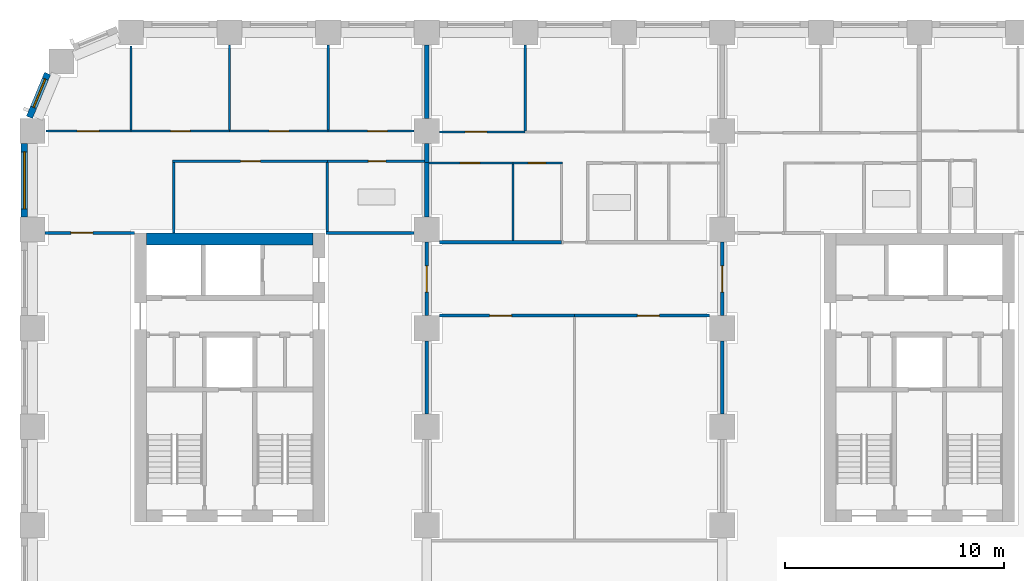
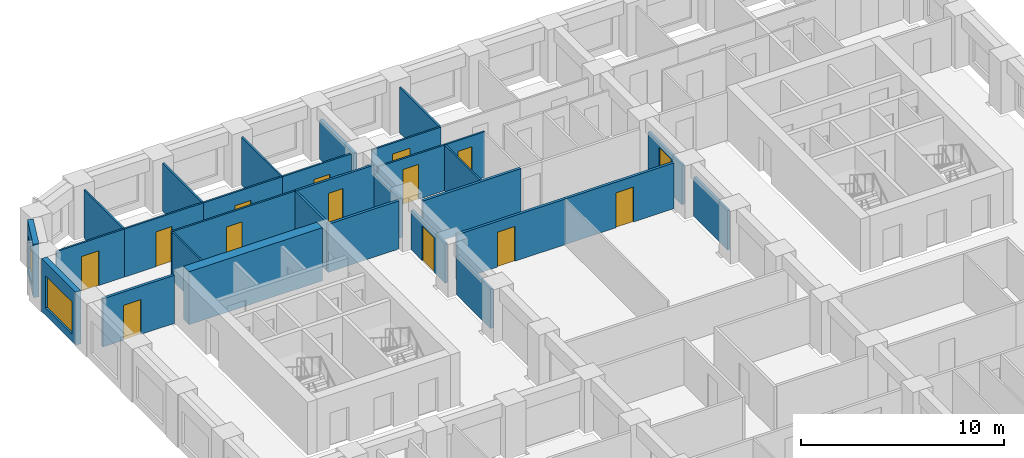
# One storey, part 7 of 13: 31 walls, 14 doors, 2 windows, 16 openings.
"""IFC4 building model written with IfcOpenShell, lengths in metres."""

from ifc_helpers import new_model, si_unit, direction, frame, frame_2d, origin, place, context, subcontext, project, spatial, rectangle, extrude, material, layer, layer_set, type_object, element, fill, save


model = new_model("IFC4")

# Units and contexts
model_context = context("Model", 3, precision=1e-05, world=origin(), true_north=direction((0.0, 1.0)))
body_context = subcontext(model_context, "Body", "Model", "MODEL_VIEW")
ifc_project = project(units=[si_unit("LENGTHUNIT", "METRE"), si_unit("AREAUNIT", "SQUARE_METRE"), si_unit("VOLUMEUNIT", "CUBIC_METRE"), si_unit("PLANEANGLEUNIT", "RADIAN"), si_unit("MASSUNIT", "GRAM", prefix="KILO")], contexts=[model_context])

# Site, building, storey
site_placement = place(None, origin())
site = spatial("IfcSite", under=ifc_project, at=site_placement, CompositionType="ELEMENT")
building_placement = place(site_placement, origin())
building = spatial("IfcBuilding", under=site, at=building_placement, Name="Girih Gate Residences", CompositionType="ELEMENT")
storey_placement = place(building_placement, frame((0.0, 0.0, 80.0)))
storey = spatial("IfcBuildingStorey", under=building, at=storey_placement, Name="L21", CompositionType="ELEMENT", Elevation=80.0)

# Wall
ifc_material_1 = material(Name="Gypsum board on steel studs", Category="steel")
ifc_layer_1 = layer(ifc_material_1, 0.14990234375)
ifc_layer_set_1 = layer_set([ifc_layer_1], Name="Compartment wall 150 mm")
wall_type_1 = type_object("IfcWallType", Name="Compartment wall 150 mm", PredefinedType="PARTITIONING", material=ifc_layer_set_1)
wall_1_placement = place(storey_placement, frame((13.400390625, 40.35009765625, 0.0), z_axis=(0.0, 0.0, 1.0), x_axis=(1.0, 0.0, 0.0)))
element("IfcWall", 1, at=wall_1_placement, inside=storey, type_object=wall_type_1, Name="L21 partition", PredefinedType="PARTITIONING", context=body_context, shape_type="SweptSolid", body=[
    extrude(rectangle(XDim=4.024658203125, YDim=0.14990234375, at=frame_2d((2.01220703125, 0.0))), origin(), (0.0, 0.0, 1.0), 2.89990234375),
])

# Wall, opening, door
wall_2_placement = place(storey_placement, frame((0.574951171875, 40.35009765625, 0.0), z_axis=(0.0, 0.0, 1.0), x_axis=(1.0, 0.0, 0.0)))
wall_2 = element("IfcWall", 2, at=wall_2_placement, inside=storey, type_object=wall_type_1, Name="L21 partition", PredefinedType="PARTITIONING", context=body_context, shape_type="SweptSolid", body=[
    extrude(rectangle(XDim=4.074951171875, YDim=0.14990234375, at=frame_2d((2.03759765625, 0.0))), origin(), (0.0, 0.0, 1.0), 2.89990234375),
])
opening_1_placement = place(wall_2_placement, frame((1.175048828125, 0.0, 0.0)))
opening_1 = element("IfcOpeningElement", 3, at=opening_1_placement, cuts=wall_2, Name="Opening A21-017", PredefinedType="OPENING", context=body_context, shape_type="SweptSolid", body=[
    extrude(rectangle(XDim=1.0, YDim=2.10009765625, at=frame_2d((0.5, 1.050048828125))), frame((0.0, 0.0849609375, 0.0), z_axis=(0.0, -1.0, 0.0), x_axis=(1.0, 0.0, 0.0)), (0.0, 0.0, 1.0), 0.169921875),
])
ifc_material_2 = material(Name="Timber, fire-rated core", Category="wood")
door_type_1 = type_object("IfcDoorType", Name="Flat entrance door 1000x2100 FD30S", OperationType="NOTDEFINED", PredefinedType="DOOR", material=ifc_material_2)
door_1_placement = place(opening_1_placement, origin())
door_1 = element("IfcDoor", 4, at=door_1_placement, inside=storey, type_object=door_type_1, Name="Door A21-017", OperationType="SINGLE_SWING_LEFT", OverallHeight=2.10009765625, OverallWidth=1.0, PredefinedType="DOOR", context=body_context, shape_type="SweptSolid", body=[
    extrude(rectangle(XDim=1.0, YDim=2.10009765625, at=frame_2d((0.5, 1.050048828125))), frame((0.0, 0.02490234375, 0.0), z_axis=(0.0, -1.0, 0.0), x_axis=(1.0, 0.0, 0.0)), (0.0, 0.0, 1.0), 0.050048828125),
])
fill(opening_1, door_1)

# Wall
wall_3_placement = place(storey_placement, frame((18.574951171875, 39.925048828125, 0.0), z_axis=(0.0, 0.0, 1.0), x_axis=(1.0, 0.0, 0.0)))
element("IfcWall", 5, at=wall_3_placement, inside=storey, type_object=wall_type_1, Name="L21 partition", PredefinedType="PARTITIONING", context=body_context, shape_type="SweptSolid", body=[
    extrude(rectangle(XDim=5.574951171875, YDim=0.14990234375, at=frame_2d((2.78759765625, 0.0))), origin(), (0.0, 0.0, 1.0), 2.75),
])

# Wall, opening, door
wall_4_placement = place(storey_placement, frame((24.75, 36.574951171875, 0.0), z_axis=(0.0, 0.0, 1.0), x_axis=(-1.0, 0.0, 0.0)))
wall_4 = element("IfcWall", 6, at=wall_4_placement, inside=storey, type_object=wall_type_1, Name="L21 partition", PredefinedType="PARTITIONING", context=body_context, shape_type="SweptSolid", body=[
    extrude(rectangle(XDim=6.175048828125, YDim=0.14990234375, at=frame_2d((3.08740234375, 0.0))), origin(), (0.0, 0.0, 1.0), 2.75),
])
opening_2_placement = place(wall_4_placement, frame((2.875, 0.0, 0.0)))
opening_2 = element("IfcOpeningElement", 7, at=opening_2_placement, cuts=wall_4, Name="Opening A21-049", PredefinedType="OPENING", context=body_context, shape_type="SweptSolid", body=[
    extrude(rectangle(XDim=1.0, YDim=2.10009765625, at=frame_2d((0.5, 1.050048828125))), frame((0.0, 0.0849609375, 0.0), z_axis=(0.0, -1.0, 0.0), x_axis=(1.0, 0.0, 0.0)), (0.0, 0.0, 1.0), 0.169921875),
])
door_type_2 = type_object("IfcDoorType", Name="Amenity room door 1000x2100 FD30S", OperationType="NOTDEFINED", PredefinedType="DOOR", material=ifc_material_2)
door_2_placement = place(opening_2_placement, origin())
door_2 = element("IfcDoor", 8, at=door_2_placement, inside=storey, type_object=door_type_2, Name="Door A21-049", OperationType="SINGLE_SWING_RIGHT", OverallHeight=2.10009765625, OverallWidth=1.0, PredefinedType="DOOR", context=body_context, shape_type="SweptSolid", body=[
    extrude(rectangle(XDim=1.0, YDim=2.10009765625, at=frame_2d((0.5, 1.050048828125))), frame((0.0, 0.02490234375, 0.0), z_axis=(0.0, -1.0, 0.0), x_axis=(1.0, 0.0, 0.0)), (0.0, 0.0, 1.0), 0.050048828125),
])
fill(opening_2, door_2)

wall_5_placement = place(storey_placement, frame((30.925048828125, 36.574951171875, 0.0), z_axis=(0.0, 0.0, 1.0), x_axis=(-1.0, 0.0, 0.0)))
wall_5 = element("IfcWall", 9, at=wall_5_placement, inside=storey, type_object=wall_type_1, Name="L21 partition", PredefinedType="PARTITIONING", context=body_context, shape_type="SweptSolid", body=[
    extrude(rectangle(XDim=6.175048828125, YDim=0.14990234375, at=frame_2d((3.08740234375, 0.0))), origin(), (0.0, 0.0, 1.0), 2.75),
])
opening_3_placement = place(wall_5_placement, frame((2.300048828125, 0.0, 0.0)))
opening_3 = element("IfcOpeningElement", 10, at=opening_3_placement, cuts=wall_5, Name="Opening A21-050", PredefinedType="OPENING", context=body_context, shape_type="SweptSolid", body=[
    extrude(rectangle(XDim=1.0, YDim=2.10009765625, at=frame_2d((0.5, 1.050048828125))), frame((0.0, 0.0849609375, 0.0), z_axis=(0.0, -1.0, 0.0), x_axis=(1.0, 0.0, 0.0)), (0.0, 0.0, 1.0), 0.169921875),
])
door_3_placement = place(opening_3_placement, origin())
door_3 = element("IfcDoor", 11, at=door_3_placement, inside=storey, type_object=door_type_2, Name="Door A21-050", OperationType="SINGLE_SWING_LEFT", OverallHeight=2.10009765625, OverallWidth=1.0, PredefinedType="DOOR", context=body_context, shape_type="SweptSolid", body=[
    extrude(rectangle(XDim=1.0, YDim=2.10009765625, at=frame_2d((0.5, 1.050048828125))), frame((0.0, 0.02490234375, 0.0), z_axis=(0.0, -1.0, 0.0), x_axis=(1.0, 0.0, 0.0)), (0.0, 0.0, 1.0), 0.050048828125),
])
fill(opening_3, door_3)

wall_6_placement = place(storey_placement, frame((31.5, 36.574951171875, 0.0), z_axis=(0.0, 0.0, 1.0), x_axis=(0.0, 1.0, 0.0)))
wall_6 = element("IfcWall", 12, at=wall_6_placement, inside=storey, type_object=wall_type_1, Name="L21 partition", PredefinedType="PARTITIONING", context=body_context, shape_type="SweptSolid", body=[
    extrude(rectangle(XDim=3.35009765625, YDim=0.14990234375, at=frame_2d((1.675048828125, 0.0))), origin(), (0.0, 0.0, 1.0), 2.3798828125),
])
opening_4_placement = place(wall_6_placement, frame((1.074951171875, 0.0, 0.0)))
opening_4 = element("IfcOpeningElement", 13, at=opening_4_placement, cuts=wall_6, Name="Opening A21-051", PredefinedType="OPENING", context=body_context, shape_type="SweptSolid", body=[
    extrude(rectangle(XDim=1.199951171875, YDim=2.10009765625, at=frame_2d((0.60009765625, 1.050048828125))), frame((0.0, 0.0849609375, 0.0), z_axis=(0.0, -1.0, 0.0), x_axis=(1.0, 0.0, 0.0)), (0.0, 0.0, 1.0), 0.169921875),
])
door_type_3 = type_object("IfcDoorType", Name="Corridor fire door 1200x2100 FD30S", OperationType="NOTDEFINED", PredefinedType="DOOR", material=ifc_material_2)
door_4_placement = place(opening_4_placement, origin())
door_4 = element("IfcDoor", 14, at=door_4_placement, inside=storey, type_object=door_type_3, Name="Door A21-051", OperationType="SINGLE_SWING_LEFT", OverallHeight=2.10009765625, OverallWidth=1.199951171875, PredefinedType="DOOR", context=body_context, shape_type="SweptSolid", body=[
    extrude(rectangle(XDim=1.199951171875, YDim=2.10009765625, at=frame_2d((0.60009765625, 1.050048828125))), frame((0.0, 0.02490234375, 0.0), z_axis=(0.0, -1.0, 0.0), x_axis=(1.0, 0.0, 0.0)), (0.0, 0.0, 1.0), 0.050048828125),
])
fill(opening_4, door_4)

wall_7_placement = place(storey_placement, frame((18.0, 39.925048828125, 0.0), z_axis=(0.0, 0.0, 1.0), x_axis=(0.0, -1.0, 0.0)))
wall_7 = element("IfcWall", 15, at=wall_7_placement, inside=storey, type_object=wall_type_1, Name="L21 partition", PredefinedType="PARTITIONING", context=body_context, shape_type="SweptSolid", body=[
    extrude(rectangle(XDim=3.35009765625, YDim=0.14990234375, at=frame_2d((1.675048828125, 0.0))), origin(), (0.0, 0.0, 1.0), 2.3798828125),
])
opening_5_placement = place(wall_7_placement, frame((1.074951171875, 0.0, 0.0)))
opening_5 = element("IfcOpeningElement", 16, at=opening_5_placement, cuts=wall_7, Name="Opening A21-052", PredefinedType="OPENING", context=body_context, shape_type="SweptSolid", body=[
    extrude(rectangle(XDim=1.199951171875, YDim=2.10009765625, at=frame_2d((0.60009765625, 1.050048828125))), frame((0.0, 0.0849609375, 0.0), z_axis=(0.0, -1.0, 0.0), x_axis=(1.0, 0.0, 0.0)), (0.0, 0.0, 1.0), 0.169921875),
])
door_5_placement = place(opening_5_placement, origin())
door_5 = element("IfcDoor", 17, at=door_5_placement, inside=storey, type_object=door_type_3, Name="Door A21-052", OperationType="SINGLE_SWING_LEFT", OverallHeight=2.10009765625, OverallWidth=1.199951171875, PredefinedType="DOOR", context=body_context, shape_type="SweptSolid", body=[
    extrude(rectangle(XDim=1.199951171875, YDim=2.10009765625, at=frame_2d((0.60009765625, 1.050048828125))), frame((0.0, 0.02490234375, 0.0), z_axis=(0.0, -1.0, 0.0), x_axis=(1.0, 0.0, 0.0)), (0.0, 0.0, 1.0), 0.050048828125),
])
fill(opening_5, door_5)

# Walls
for number, where, z_axis, x_axis, name in (
    (18, (18.0, 32.074951171875, 0.0), (0.0, 0.0, 1.0), (0.0, 1.0, 0.0), "L21 partition"),
    (19, (31.5, 32.074951171875, 0.0), (0.0, 0.0, 1.0), (0.0, 1.0, 0.0), "L21 partition"),
):
    element("IfcWall", number, at=place(storey_placement, frame(where, z_axis=z_axis, x_axis=x_axis)), inside=storey, type_object=wall_type_1, Name=name, PredefinedType="PARTITIONING", context=body_context, shape_type="SweptSolid", body=[
        extrude(rectangle(XDim=3.35009765625, YDim=0.14990234375, at=frame_2d((1.675048828125, 0.0))), origin(), (0.0, 0.0, 1.0), 2.3798828125),
    ])
ifc_material_3 = material(Name="Concrete C60/75", Category="concrete")
ifc_layer_2 = layer(ifc_material_3, 0.550048828125)
ifc_layer_set_2 = layer_set([ifc_layer_2], Name="Core wall RC 550 Concrete C60/75")
wall_type_2 = type_object("IfcWallType", Name="Core wall RC 550 Concrete C60/75", PredefinedType="SOLIDWALL", material=ifc_layer_set_2)
wall_8_placement = place(storey_placement, frame((5.199951171875, 40.074951171875, 0.0), z_axis=(0.0, 0.0, 1.0), x_axis=(1.0, 0.0, 0.0)))
element("IfcWall", 20, at=wall_8_placement, inside=storey, type_object=wall_type_2, Name="Core wall W-N L21", PredefinedType="SOLIDWALL", context=body_context, shape_type="SweptSolid", body=[
    extrude(rectangle(XDim=7.60009765625, YDim=0.550048828125, at=frame_2d((3.800048828125, 0.0))), origin(), (0.0, 0.0, 1.0), 3.199951171875),
])
ifc_layer_3 = layer(ifc_material_1, 0.10009765625)
ifc_layer_set_3 = layer_set([ifc_layer_3], Name="Partition 100 mm")
wall_type_3 = type_object("IfcWallType", Name="Partition 100 mm", PredefinedType="PARTITIONING", material=ifc_layer_set_3)
wall_9_placement = place(storey_placement, frame((9.0, 45.050048828125, 0.0), z_axis=(0.0, 0.0, 1.0), x_axis=(0.0, 1.0, 0.0)))
element("IfcWall", 21, at=wall_9_placement, inside=storey, type_object=wall_type_3, Name="L21 partition", PredefinedType="PARTITIONING", context=body_context, shape_type="SweptSolid", body=[
    extrude(rectangle(XDim=3.875, YDim=0.10009765625, at=frame_2d((1.9375, 0.0))), origin(), (0.0, 0.0, 1.0), 2.89990234375),
])

# Wall, opening, door
wall_10_placement = place(storey_placement, frame((4.5, 45.0, 0.0), z_axis=(0.0, 0.0, 1.0), x_axis=(1.0, 0.0, 0.0)))
wall_10 = element("IfcWall", 22, at=wall_10_placement, inside=storey, type_object=wall_type_3, Name="L21 partition", PredefinedType="PARTITIONING", context=body_context, shape_type="SweptSolid", body=[
    extrude(rectangle(XDim=4.5, YDim=0.10009765625, at=frame_2d((2.25, 0.0))), origin(), (0.0, 0.0, 1.0), 2.89990234375),
])
opening_6_placement = place(wall_10_placement, frame((1.800048828125, 0.0, 0.0)))
opening_6 = element("IfcOpeningElement", 23, at=opening_6_placement, cuts=wall_10, Name="Opening A21-012", PredefinedType="OPENING", context=body_context, shape_type="SweptSolid", body=[
    extrude(rectangle(XDim=0.89990234375, YDim=2.10009765625, at=frame_2d((0.449951171875, 1.050048828125))), frame((0.0, 0.06005859375, 0.0), z_axis=(0.0, -1.0, 0.0), x_axis=(1.0, 0.0, 0.0)), (0.0, 0.0, 1.0), 0.1201171875),
])
ifc_material_4 = material(Name="Timber", Category="wood")
door_type_4 = type_object("IfcDoorType", Name="Bedroom door 900x2100", OperationType="NOTDEFINED", PredefinedType="DOOR", material=ifc_material_4)
door_6_placement = place(opening_6_placement, origin())
door_6 = element("IfcDoor", 24, at=door_6_placement, inside=storey, type_object=door_type_4, Name="Door A21-012", OperationType="SINGLE_SWING_RIGHT", OverallHeight=2.10009765625, OverallWidth=0.89990234375, PredefinedType="DOOR", context=body_context, shape_type="SweptSolid", body=[
    extrude(rectangle(XDim=0.89990234375, YDim=2.10009765625, at=frame_2d((0.449951171875, 1.050048828125))), frame((0.0, 0.02490234375, 0.0), z_axis=(0.0, -1.0, 0.0), x_axis=(1.0, 0.0, 0.0)), (0.0, 0.0, 1.0), 0.050048828125),
])
fill(opening_6, door_6)

# Walls
wall_11_placement = place(storey_placement, frame((4.5, 45.050048828125, 0.0), z_axis=(0.0, 0.0, 1.0), x_axis=(0.0, 1.0, 0.0)))
element("IfcWall", 25, at=wall_11_placement, inside=storey, type_object=wall_type_3, Name="L21 partition", PredefinedType="PARTITIONING", context=body_context, shape_type="SweptSolid", body=[
    extrude(rectangle(XDim=3.82763671875, YDim=0.10009765625, at=frame_2d((1.913818359375, 0.0))), origin(), (0.0, 0.0, 1.0), 2.89990234375),
])
wall_12_placement = place(storey_placement, frame((13.5, 45.050048828125, 0.0), z_axis=(0.0, 0.0, 1.0), x_axis=(0.0, 1.0, 0.0)))
element("IfcWall", 26, at=wall_12_placement, inside=storey, type_object=wall_type_3, Name="L21 partition", PredefinedType="PARTITIONING", context=body_context, shape_type="SweptSolid", body=[
    extrude(rectangle(XDim=3.875, YDim=0.10009765625, at=frame_2d((1.9375, 0.0))), origin(), (0.0, 0.0, 1.0), 2.89990234375),
])

# Wall, opening, door
wall_13_placement = place(storey_placement, frame((9.0, 45.0, 0.0), z_axis=(0.0, 0.0, 1.0), x_axis=(1.0, 0.0, 0.0)))
wall_13 = element("IfcWall", 27, at=wall_13_placement, inside=storey, type_object=wall_type_3, Name="L21 partition", PredefinedType="PARTITIONING", context=body_context, shape_type="SweptSolid", body=[
    extrude(rectangle(XDim=4.5, YDim=0.10009765625, at=frame_2d((2.25, 0.0))), origin(), (0.0, 0.0, 1.0), 2.89990234375),
])
opening_7_placement = place(wall_13_placement, frame((1.800048828125, 0.0, 0.0)))
opening_7 = element("IfcOpeningElement", 28, at=opening_7_placement, cuts=wall_13, Name="Opening A21-013", PredefinedType="OPENING", context=body_context, shape_type="SweptSolid", body=[
    extrude(rectangle(XDim=0.89990234375, YDim=2.10009765625, at=frame_2d((0.449951171875, 1.050048828125))), frame((0.0, 0.06005859375, 0.0), z_axis=(0.0, -1.0, 0.0), x_axis=(1.0, 0.0, 0.0)), (0.0, 0.0, 1.0), 0.1201171875),
])
door_7_placement = place(opening_7_placement, origin())
door_7 = element("IfcDoor", 29, at=door_7_placement, inside=storey, type_object=door_type_4, Name="Door A21-013", OperationType="SINGLE_SWING_LEFT", OverallHeight=2.10009765625, OverallWidth=0.89990234375, PredefinedType="DOOR", context=body_context, shape_type="SweptSolid", body=[
    extrude(rectangle(XDim=0.89990234375, YDim=2.10009765625, at=frame_2d((0.449951171875, 1.050048828125))), frame((0.0, 0.02490234375, 0.0), z_axis=(0.0, -1.0, 0.0), x_axis=(1.0, 0.0, 0.0)), (0.0, 0.0, 1.0), 0.050048828125),
])
fill(opening_7, door_7)

wall_14_placement = place(storey_placement, frame((13.5, 45.0, 0.0), z_axis=(0.0, 0.0, 1.0), x_axis=(1.0, 0.0, 0.0)))
wall_14 = element("IfcWall", 30, at=wall_14_placement, inside=storey, type_object=wall_type_3, Name="L21 partition", PredefinedType="PARTITIONING", context=body_context, shape_type="SweptSolid", body=[
    extrude(rectangle(XDim=3.925048828125, YDim=0.10009765625, at=frame_2d((1.96240234375, 0.0))), origin(), (0.0, 0.0, 1.0), 2.89990234375),
])
opening_8_placement = place(wall_14_placement, frame((1.800048828125, 0.0, 0.0)))
opening_8 = element("IfcOpeningElement", 31, at=opening_8_placement, cuts=wall_14, Name="Opening A21-014", PredefinedType="OPENING", context=body_context, shape_type="SweptSolid", body=[
    extrude(rectangle(XDim=0.89990234375, YDim=2.10009765625, at=frame_2d((0.449951171875, 1.050048828125))), frame((0.0, 0.06005859375, 0.0), z_axis=(0.0, -1.0, 0.0), x_axis=(1.0, 0.0, 0.0)), (0.0, 0.0, 1.0), 0.1201171875),
])
door_8_placement = place(opening_8_placement, origin())
door_8 = element("IfcDoor", 32, at=door_8_placement, inside=storey, type_object=door_type_4, Name="Door A21-014", OperationType="SINGLE_SWING_RIGHT", OverallHeight=2.10009765625, OverallWidth=0.89990234375, PredefinedType="DOOR", context=body_context, shape_type="SweptSolid", body=[
    extrude(rectangle(XDim=0.89990234375, YDim=2.10009765625, at=frame_2d((0.449951171875, 1.050048828125))), frame((0.0, 0.02490234375, 0.0), z_axis=(0.0, -1.0, 0.0), x_axis=(1.0, 0.0, 0.0)), (0.0, 0.0, 1.0), 0.050048828125),
])
fill(opening_8, door_8)

wall_15_placement = place(storey_placement, frame((13.462890625, 43.6201171875, 0.0), z_axis=(0.0, 0.0, 1.0), x_axis=(-1.0, 0.0, 0.0)))
wall_15 = element("IfcWall", 33, at=wall_15_placement, inside=storey, type_object=wall_type_3, Name="L21 partition", PredefinedType="PARTITIONING", context=body_context, shape_type="SweptSolid", body=[
    extrude(rectangle(XDim=7.06298828125, YDim=0.10009765625, at=frame_2d((3.531494140625, 0.0))), origin(), (0.0, 0.0, 1.0), 2.89990234375),
])
opening_9_placement = place(wall_15_placement, frame((3.056396484375, 0.0, 0.0)))
opening_9 = element("IfcOpeningElement", 34, at=opening_9_placement, cuts=wall_15, Name="Opening A21-015", PredefinedType="OPENING", context=body_context, shape_type="SweptSolid", body=[
    extrude(rectangle(XDim=0.89990234375, YDim=2.10009765625, at=frame_2d((0.449951171875, 1.050048828125))), frame((0.0, 0.06005859375, 0.0), z_axis=(0.0, -1.0, 0.0), x_axis=(1.0, 0.0, 0.0)), (0.0, 0.0, 1.0), 0.1201171875),
])
door_type_5 = type_object("IfcDoorType", Name="Kitchen door 900x2100", OperationType="NOTDEFINED", PredefinedType="DOOR", material=ifc_material_4)
door_9_placement = place(opening_9_placement, origin())
door_9 = element("IfcDoor", 35, at=door_9_placement, inside=storey, type_object=door_type_5, Name="Door A21-015", OperationType="SINGLE_SWING_LEFT", OverallHeight=2.10009765625, OverallWidth=0.89990234375, PredefinedType="DOOR", context=body_context, shape_type="SweptSolid", body=[
    extrude(rectangle(XDim=0.89990234375, YDim=2.10009765625, at=frame_2d((0.449951171875, 1.050048828125))), frame((0.0, 0.02490234375, 0.0), z_axis=(0.0, -1.0, 0.0), x_axis=(1.0, 0.0, 0.0)), (0.0, 0.0, 1.0), 0.050048828125),
])
fill(opening_9, door_9)

# Wall
wall_16_placement = place(storey_placement, frame((6.449951171875, 40.35009765625, 0.0), z_axis=(0.0, 0.0, 1.0), x_axis=(0.0, 1.0, 0.0)))
element("IfcWall", 36, at=wall_16_placement, inside=storey, type_object=wall_type_3, Name="L21 partition", PredefinedType="PARTITIONING", context=body_context, shape_type="SweptSolid", body=[
    extrude(rectangle(XDim=3.219970703125, YDim=0.10009765625, at=frame_2d((1.60986328125, 0.0))), origin(), (0.0, 0.0, 1.0), 2.89990234375),
])

# Wall, opening, door
wall_17_placement = place(storey_placement, frame((0.622314453125, 45.0, 0.0), z_axis=(0.0, 0.0, 1.0), x_axis=(1.0, 0.0, 0.0)))
wall_17 = element("IfcWall", 37, at=wall_17_placement, inside=storey, type_object=wall_type_3, Name="L21 partition", PredefinedType="PARTITIONING", context=body_context, shape_type="SweptSolid", body=[
    extrude(rectangle(XDim=3.877685546875, YDim=0.10009765625, at=frame_2d((1.93896484375, 0.0))), origin(), (0.0, 0.0, 1.0), 2.89990234375),
])
opening_10_placement = place(wall_17_placement, frame((1.4150390625, 0.0, 0.0)))
opening_10 = element("IfcOpeningElement", 38, at=opening_10_placement, cuts=wall_17, Name="Opening A21-016", PredefinedType="OPENING", context=body_context, shape_type="SweptSolid", body=[
    extrude(rectangle(XDim=1.0, YDim=2.10009765625, at=frame_2d((0.5, 1.050048828125))), frame((0.0, 0.06005859375, 0.0), z_axis=(0.0, -1.0, 0.0), x_axis=(1.0, 0.0, 0.0)), (0.0, 0.0, 1.0), 0.1201171875),
])
door_type_6 = type_object("IfcDoorType", Name="Living room door 1000x2100", OperationType="NOTDEFINED", PredefinedType="DOOR", material=ifc_material_4)
door_10_placement = place(opening_10_placement, origin())
door_10 = element("IfcDoor", 39, at=door_10_placement, inside=storey, type_object=door_type_6, Name="Door A21-016", OperationType="SINGLE_SWING_LEFT", OverallHeight=2.10009765625, OverallWidth=1.0, PredefinedType="DOOR", context=body_context, shape_type="SweptSolid", body=[
    extrude(rectangle(XDim=1.0, YDim=2.10009765625, at=frame_2d((0.5, 1.050048828125))), frame((0.0, 0.02490234375, 0.0), z_axis=(0.0, -1.0, 0.0), x_axis=(1.0, 0.0, 0.0)), (0.0, 0.0, 1.0), 0.050048828125),
])
fill(opening_10, door_10)

# Wall
wall_18_placement = place(storey_placement, frame((22.5, 45.014892578125, 0.0), z_axis=(0.0, 0.0, 1.0), x_axis=(0.0, 1.0, 0.0)))
element("IfcWall", 40, at=wall_18_placement, inside=storey, type_object=wall_type_3, Name="L21 partition", PredefinedType="PARTITIONING", context=body_context, shape_type="SweptSolid", body=[
    extrude(rectangle(XDim=3.91015625, YDim=0.10009765625, at=frame_2d((1.955078125, 0.0))), origin(), (0.0, 0.0, 1.0), 2.75),
])

# Wall, opening, door
wall_19_placement = place(storey_placement, frame((21.9423828125, 43.544921875, 0.0), z_axis=(0.0, 0.0, 1.0), x_axis=(-1.0, 0.0, 0.0)))
wall_19 = element("IfcWall", 41, at=wall_19_placement, inside=storey, type_object=wall_type_3, Name="L21 partition", PredefinedType="PARTITIONING", context=body_context, shape_type="SweptSolid", body=[
    extrude(rectangle(XDim=3.84228515625, YDim=0.10009765625, at=frame_2d((1.921142578125, 0.0))), origin(), (0.0, 0.0, 1.0), 2.75),
])
opening_11_placement = place(wall_19_placement, frame((1.52099609375, 0.0, 0.0)))
opening_11 = element("IfcOpeningElement", 42, at=opening_11_placement, cuts=wall_19, Name="Opening A21-044", PredefinedType="OPENING", context=body_context, shape_type="SweptSolid", body=[
    extrude(rectangle(XDim=0.89990234375, YDim=2.10009765625, at=frame_2d((0.449951171875, 1.050048828125))), frame((0.0, 0.06005859375, 0.0), z_axis=(0.0, -1.0, 0.0), x_axis=(1.0, 0.0, 0.0)), (0.0, 0.0, 1.0), 0.1201171875),
])
door_11_placement = place(opening_11_placement, origin())
door_11 = element("IfcDoor", 43, at=door_11_placement, inside=storey, type_object=door_type_5, Name="Door A21-044", OperationType="SINGLE_SWING_RIGHT", OverallHeight=2.10009765625, OverallWidth=0.89990234375, PredefinedType="DOOR", context=body_context, shape_type="SweptSolid", body=[
    extrude(rectangle(XDim=0.89990234375, YDim=2.10009765625, at=frame_2d((0.449951171875, 1.050048828125))), frame((0.0, 0.02490234375, 0.0), z_axis=(0.0, -1.0, 0.0), x_axis=(1.0, 0.0, 0.0)), (0.0, 0.0, 1.0), 0.050048828125),
])
fill(opening_11, door_11)

wall_20_placement = place(storey_placement, frame((18.574951171875, 44.965087890625, 0.0), z_axis=(0.0, 0.0, 1.0), x_axis=(1.0, 0.0, 0.0)))
wall_20 = element("IfcWall", 44, at=wall_20_placement, inside=storey, type_object=wall_type_3, Name="L21 partition", PredefinedType="PARTITIONING", context=body_context, shape_type="SweptSolid", body=[
    extrude(rectangle(XDim=3.925048828125, YDim=0.10009765625, at=frame_2d((1.96240234375, 0.0))), origin(), (0.0, 0.0, 1.0), 2.75),
])
opening_12_placement = place(wall_20_placement, frame((1.175048828125, 0.0, 0.0)))
opening_12 = element("IfcOpeningElement", 45, at=opening_12_placement, cuts=wall_20, Name="Opening A21-045", PredefinedType="OPENING", context=body_context, shape_type="SweptSolid", body=[
    extrude(rectangle(XDim=1.0, YDim=2.10009765625, at=frame_2d((0.5, 1.050048828125))), frame((0.0, 0.06005859375, 0.0), z_axis=(0.0, -1.0, 0.0), x_axis=(1.0, 0.0, 0.0)), (0.0, 0.0, 1.0), 0.1201171875),
])
door_12_placement = place(opening_12_placement, origin())
door_12 = element("IfcDoor", 46, at=door_12_placement, inside=storey, type_object=door_type_6, Name="Door A21-045", OperationType="SINGLE_SWING_LEFT", OverallHeight=2.10009765625, OverallWidth=1.0, PredefinedType="DOOR", context=body_context, shape_type="SweptSolid", body=[
    extrude(rectangle(XDim=1.0, YDim=2.10009765625, at=frame_2d((0.5, 1.050048828125))), frame((0.0, 0.02490234375, 0.0), z_axis=(0.0, -1.0, 0.0), x_axis=(1.0, 0.0, 0.0)), (0.0, 0.0, 1.0), 0.050048828125),
])
fill(opening_12, door_12)

wall_21_placement = place(storey_placement, frame((24.199951171875, 43.544921875, 0.0), z_axis=(0.0, 0.0, 1.0), x_axis=(-1.0, 0.0, 0.0)))
wall_21 = element("IfcWall", 47, at=wall_21_placement, inside=storey, type_object=wall_type_3, Name="L21 partition", PredefinedType="PARTITIONING", context=body_context, shape_type="SweptSolid", body=[
    extrude(rectangle(XDim=2.257568359375, YDim=0.10009765625, at=frame_2d((1.12890625, 0.0))), origin(), (0.0, 0.0, 1.0), 2.75),
])
opening_13_placement = place(wall_21_placement, frame((0.75390625, 0.0, 0.0)))
opening_13 = element("IfcOpeningElement", 48, at=opening_13_placement, cuts=wall_21, Name="Opening A21-047", PredefinedType="OPENING", context=body_context, shape_type="SweptSolid", body=[
    extrude(rectangle(XDim=0.800048828125, YDim=2.10009765625, at=frame_2d((0.39990234375, 1.050048828125))), frame((0.0, 0.06005859375, 0.0), z_axis=(0.0, -1.0, 0.0), x_axis=(1.0, 0.0, 0.0)), (0.0, 0.0, 1.0), 0.1201171875),
])
door_type_7 = type_object("IfcDoorType", Name="Store door 800x2100", OperationType="NOTDEFINED", PredefinedType="DOOR", material=ifc_material_4)
door_13_placement = place(opening_13_placement, origin())
door_13 = element("IfcDoor", 49, at=door_13_placement, inside=storey, type_object=door_type_7, Name="Door A21-047", OperationType="SINGLE_SWING_RIGHT", OverallHeight=2.10009765625, OverallWidth=0.800048828125, PredefinedType="DOOR", context=body_context, shape_type="SweptSolid", body=[
    extrude(rectangle(XDim=0.800048828125, YDim=2.10009765625, at=frame_2d((0.39990234375, 1.050048828125))), frame((0.0, 0.02490234375, 0.0), z_axis=(0.0, -1.0, 0.0), x_axis=(1.0, 0.0, 0.0)), (0.0, 0.0, 1.0), 0.050048828125),
])
fill(opening_13, door_13)

# Walls
wall_22_placement = place(storey_placement, frame((21.94189453125, 40.0, 0.0), z_axis=(0.0, 0.0, 1.0), x_axis=(0.0, 1.0, 0.0)))
element("IfcWall", 50, at=wall_22_placement, inside=storey, type_object=wall_type_3, Name="L21 partition", PredefinedType="PARTITIONING", context=body_context, shape_type="SweptSolid", body=[
    extrude(rectangle(XDim=3.4951171875, YDim=0.10009765625, at=frame_2d((1.74755859375, 0.0))), origin(), (0.0, 0.0, 1.0), 2.75),
])
ifc_layer_4 = layer(ifc_material_1, 0.199951171875)
ifc_layer_set_4 = layer_set([ifc_layer_4], Name="Party wall 200 mm")
wall_type_4 = type_object("IfcWallType", Name="Party wall 200 mm", PredefinedType="PARTITIONING", material=ifc_layer_set_4)
wall_23_placement = place(storey_placement, frame((18.0, 41.074951171875, 0.0), z_axis=(0.0, 0.0, 1.0), x_axis=(0.0, 1.0, 0.0)))
element("IfcWall", 51, at=wall_23_placement, inside=storey, type_object=wall_type_4, Name="L21 partition", PredefinedType="PARTITIONING", context=body_context, shape_type="SweptSolid", body=[
    extrude(rectangle(XDim=2.52001953125, YDim=0.199951171875, at=frame_2d((1.260009765625, 0.0))), origin(), (0.0, 0.0, 1.0), 2.3798828125),
])
wall_24_placement = place(storey_placement, frame((18.0, 45.574951171875, 0.0), z_axis=(0.0, 0.0, 1.0), x_axis=(0.0, 1.0, 0.0)))
element("IfcWall", 52, at=wall_24_placement, inside=storey, type_object=wall_type_4, Name="L21 partition", PredefinedType="PARTITIONING", context=body_context, shape_type="SweptSolid", body=[
    extrude(rectangle(XDim=3.35009765625, YDim=0.199951171875, at=frame_2d((1.675048828125, 0.0))), origin(), (0.0, 0.0, 1.0), 2.3798828125),
])
wall_25_placement = place(storey_placement, frame((18.0, 43.5576171875, 0.0), z_axis=(0.0, 0.0, 1.0), x_axis=(0.0, 1.0, 0.0)))
element("IfcWall", 53, at=wall_25_placement, inside=storey, type_object=wall_type_4, Name="L21 partition", PredefinedType="PARTITIONING", context=body_context, shape_type="SweptSolid", body=[
    extrude(rectangle(XDim=0.867431640625, YDim=0.199951171875, at=frame_2d((0.43359375, 0.0))), origin(), (0.0, 0.0, 1.0), 2.3798828125),
])

# Wall, opening, window
ifc_material_5 = material(Name="Precast concrete C50/60", Category="concrete")
ifc_layer_5 = layer(ifc_material_5, 0.080078125, Name="Outer leaf")
ifc_material_6 = material(Name="Rigid PIR insulation")
ifc_layer_6 = layer(ifc_material_6, 0.14990234375, Name="Insulation")
ifc_material_7 = material(Name="Precast concrete C40/50", Category="concrete")
ifc_layer_7 = layer(ifc_material_7, 0.070068359375, Name="Inner leaf")
ifc_layer_set_5 = layer_set([ifc_layer_5, ifc_layer_6, ifc_layer_7], Name="Precast concrete C50/60 external wall 300")
wall_type_5 = type_object("IfcWallType", Name="Precast concrete C50/60 external wall 300", PredefinedType="SOLIDWALL", material=ifc_layer_set_5)
wall_26_placement = place(storey_placement, frame((-0.14404296875, 45.63232421875, 0.0), z_axis=(0.0, 0.0, 1.0), x_axis=(0.382723818695, 0.923862802911, 0.0)))
wall_26 = element("IfcWall", 54, at=wall_26_placement, inside=storey, type_object=wall_type_5, Name="External wall NW0013_0482.0", PredefinedType="SOLIDWALL", context=body_context, shape_type="SweptSolid", body=[
    extrude(rectangle(XDim=2.163818359375, YDim=0.300048828125, at=frame_2d((1.08203125, 0.0))), origin(), (0.0, 0.0, 1.0), 3.199951171875),
])
opening_14_placement = place(wall_26_placement, frame((0.492919921875, 0.0, 0.449951171875)))
opening_14 = element("IfcOpeningElement", 55, at=opening_14_placement, cuts=wall_26, Name="Opening W-2D", PredefinedType="OPENING", context=body_context, shape_type="SweptSolid", body=[
    extrude(rectangle(XDim=1.39990234375, YDim=1.949951171875, at=frame_2d((0.699951171875, 0.97509765625))), frame((0.0, 0.159912109375, 0.0), z_axis=(0.0, -1.0, 0.0), x_axis=(1.0, 0.0, 0.0)), (0.0, 0.0, 1.0), 0.320068359375),
])
ifc_material_8 = material(Name="Double glazing in aluminium frame", Category="aluminium")
window_type_1 = type_object("IfcWindowType", Name="Window W-2D 1400x1950", PartitioningType="SINGLE_PANEL", PredefinedType="WINDOW", material=ifc_material_8)
window_1_placement = place(opening_14_placement, origin())
window_1 = element("IfcWindow", 56, at=window_1_placement, inside=storey, type_object=window_type_1, Name="Window W-2D NW0013_0482.0", OverallHeight=1.949951171875, OverallWidth=1.39990234375, PartitioningType="SINGLE_PANEL", PredefinedType="WINDOW", context=body_context, shape_type="SweptSolid", body=[
    extrude(rectangle(XDim=1.39990234375, YDim=1.949951171875, at=frame_2d((0.699951171875, 0.97509765625))), frame((0.0, 0.030029296875, 0.0), z_axis=(0.0, -1.0, 0.0), x_axis=(1.0, 0.0, 0.0)), (0.0, 0.0, 1.0), 0.06005859375),
])
fill(opening_14, window_1)

wall_27_placement = place(storey_placement, frame((-0.375, 41.074951171875, 0.0), z_axis=(0.0, 0.0, 1.0), x_axis=(0.0, 1.0, 0.0)))
wall_27 = element("IfcWall", 57, at=wall_27_placement, inside=storey, type_object=wall_type_5, Name="External wall W0000_0450.0", PredefinedType="SOLIDWALL", context=body_context, shape_type="SweptSolid", body=[
    extrude(rectangle(XDim=3.35009765625, YDim=0.300048828125, at=frame_2d((1.675048828125, 0.0))), origin(), (0.0, 0.0, 1.0), 3.199951171875),
])
opening_15_placement = place(wall_27_placement, frame((0.375, 0.0, 0.449951171875)))
opening_15 = element("IfcOpeningElement", 58, at=opening_15_placement, cuts=wall_27, Name="Opening W-1A", PredefinedType="OPENING", context=body_context, shape_type="SweptSolid", body=[
    extrude(rectangle(XDim=2.60009765625, YDim=1.949951171875, at=frame_2d((1.300048828125, 0.97509765625))), frame((0.0, 0.159912109375, 0.0), z_axis=(0.0, -1.0, 0.0), x_axis=(1.0, 0.0, 0.0)), (0.0, 0.0, 1.0), 0.320068359375),
])
window_type_2 = type_object("IfcWindowType", Name="Window W-1A 2600x1950", PartitioningType="SINGLE_PANEL", PredefinedType="WINDOW", material=ifc_material_8)
window_2_placement = place(opening_15_placement, origin())
window_2 = element("IfcWindow", 59, at=window_2_placement, inside=storey, type_object=window_type_2, Name="Window W-1A W0000_0450.0", OverallHeight=1.949951171875, OverallWidth=2.60009765625, PartitioningType="SINGLE_PANEL", PredefinedType="WINDOW", context=body_context, shape_type="SweptSolid", body=[
    extrude(rectangle(XDim=2.60009765625, YDim=1.949951171875, at=frame_2d((1.300048828125, 0.97509765625))), frame((0.0, 0.030029296875, 0.0), z_axis=(0.0, -1.0, 0.0), x_axis=(1.0, 0.0, 0.0)), (0.0, 0.0, 1.0), 0.06005859375),
])
fill(opening_15, window_2)

# Wall, opening, door
ifc_layer_8 = layer(ifc_material_1, 0.125)
ifc_layer_set_6 = layer_set([ifc_layer_8], Name="Wet room wall 125 mm")
wall_type_6 = type_object("IfcWallType", Name="Wet room wall 125 mm", PredefinedType="PARTITIONING", material=ifc_layer_set_6)
wall_28_placement = place(storey_placement, frame((17.89990234375, 43.6201171875, 0.0), z_axis=(0.0, 0.0, 1.0), x_axis=(-1.0, 0.0, 0.0)))
wall_28 = element("IfcWall", 60, at=wall_28_placement, inside=storey, type_object=wall_type_6, Name="L21 partition", PredefinedType="PARTITIONING", context=body_context, shape_type="SweptSolid", body=[
    extrude(rectangle(XDim=4.43701171875, YDim=0.125, at=frame_2d((2.218505859375, 0.0))), origin(), (0.0, 0.0, 1.0), 2.89990234375),
])
opening_16_placement = place(wall_28_placement, frame((1.7685546875, 0.0, 0.0)))
opening_16 = element("IfcOpeningElement", 61, at=opening_16_placement, cuts=wall_28, Name="Opening A21-011", PredefinedType="OPENING", context=body_context, shape_type="SweptSolid", body=[
    extrude(rectangle(XDim=0.800048828125, YDim=2.10009765625, at=frame_2d((0.39990234375, 1.050048828125))), frame((0.0, 0.072509765625, 0.0), z_axis=(0.0, -1.0, 0.0), x_axis=(1.0, 0.0, 0.0)), (0.0, 0.0, 1.0), 0.14501953125),
])
door_type_8 = type_object("IfcDoorType", Name="Bathroom door 800x2100", OperationType="NOTDEFINED", PredefinedType="DOOR", material=ifc_material_4)
door_14_placement = place(opening_16_placement, origin())
door_14 = element("IfcDoor", 62, at=door_14_placement, inside=storey, type_object=door_type_8, Name="Door A21-011", OperationType="SINGLE_SWING_LEFT", OverallHeight=2.10009765625, OverallWidth=0.800048828125, PredefinedType="DOOR", context=body_context, shape_type="SweptSolid", body=[
    extrude(rectangle(XDim=0.800048828125, YDim=2.10009765625, at=frame_2d((0.39990234375, 1.050048828125))), frame((0.0, 0.02490234375, 0.0), z_axis=(0.0, -1.0, 0.0), x_axis=(1.0, 0.0, 0.0)), (0.0, 0.0, 1.0), 0.050048828125),
])
fill(opening_16, door_14)

# Wall
wall_29_placement = place(storey_placement, frame((13.462890625, 40.425048828125, 0.0), z_axis=(0.0, 0.0, 1.0), x_axis=(0.0, 1.0, 0.0)))
element("IfcWall", 63, at=wall_29_placement, inside=storey, type_object=wall_type_6, Name="L21 partition", PredefinedType="PARTITIONING", context=body_context, shape_type="SweptSolid", body=[
    extrude(rectangle(XDim=3.132568359375, YDim=0.125, at=frame_2d((1.56640625, 0.0))), origin(), (0.0, 0.0, 1.0), 2.89990234375),
])

save(model, "model.ifc")
